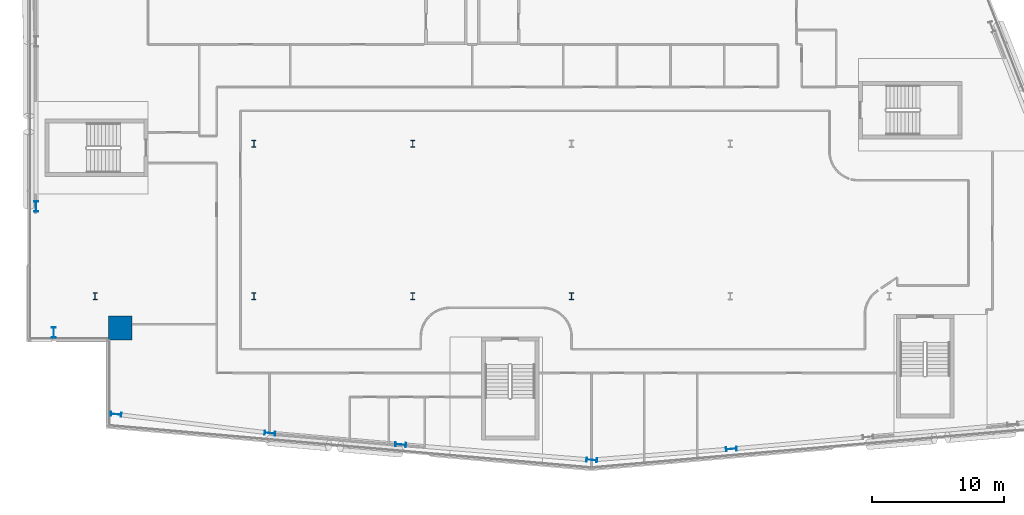
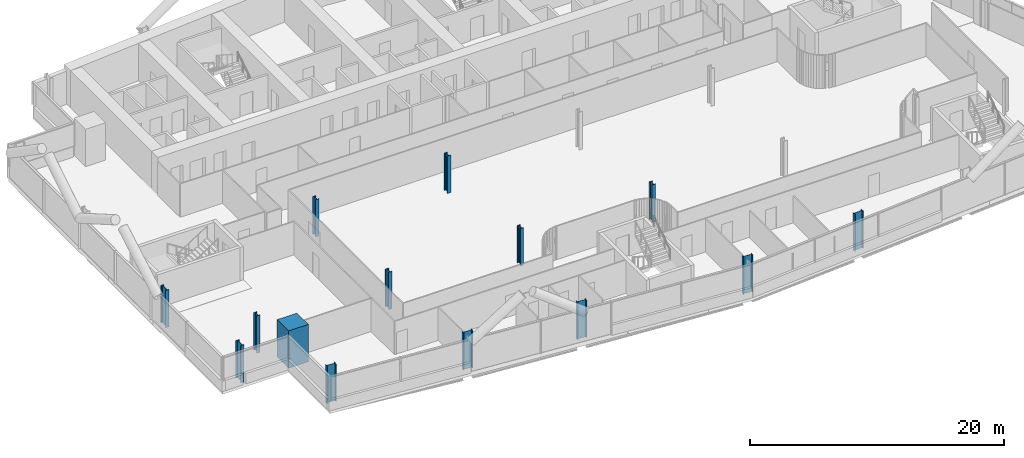
# One storey, part 1 of 30: 14 columns.
"""IFC4 building model written with IfcOpenShell, lengths in metres."""

from ifc_helpers import new_model, si_unit, direction, frame, origin, origin_2d, place, context, subcontext, project, spatial, rectangle, i_section, extrude, material, material_profile, profile_set, type_object, element, save


model = new_model("IFC4")

# Units and contexts
model_context = context("Model", 3, precision=1e-05, world=origin(), true_north=direction((0.0, 1.0)))
body_context = subcontext(model_context, "Body", "Model", "MODEL_VIEW")
ifc_project = project(units=[si_unit("LENGTHUNIT", "METRE"), si_unit("AREAUNIT", "SQUARE_METRE"), si_unit("VOLUMEUNIT", "CUBIC_METRE"), si_unit("PLANEANGLEUNIT", "RADIAN"), si_unit("MASSUNIT", "GRAM", prefix="KILO")], contexts=[model_context])

# Site, building, storey
site_placement = place(None, origin())
site = spatial("IfcSite", under=ifc_project, at=site_placement, CompositionType="ELEMENT")
building_placement = place(site_placement, origin())
building = spatial("IfcBuilding", under=site, at=building_placement, Name="Wharfspan Tower", CompositionType="ELEMENT")
storey_placement = place(building_placement, frame((0.0, 0.0, 100.300049)))
storey = spatial("IfcBuildingStorey", under=building, at=storey_placement, Name="L22", CompositionType="ELEMENT", Elevation=100.300049)

# Columns
ifc_material_1 = material(Name="Steel S355J2", Category="steel")
ifc_material_profile_1 = material_profile(ifc_material_1, i_section(OverallWidth=0.305908, OverallDepth=0.523926, WebThickness=0.020996, FlangeThickness=0.040039, FilletRadius=0.0271, at=origin_2d()))
ifc_profile_set_1 = profile_set([ifc_material_profile_1], Name="Steel S355J2")
column_type_1 = type_object("IfcColumnType", Name="Column HEM 500", PredefinedType="COLUMN", material=ifc_profile_set_1)
for number, where, z_axis, x_axis, name in (
    (1, (12.0, 11.5, 0.0), (0.0, 0.0, 1.0), (1.0, 0.0, 0.0), "Interior column I.1.1 L22"),
    (2, (24.0, 11.5, 0.0), (0.0, 0.0, 1.0), (1.0, 0.0, 0.0), "Interior column I.1.2 L22"),
    (3, (36.0, 11.5, 0.0), (0.0, 0.0, 1.0), (1.0, 0.0, 0.0), "Interior column I.1.3 L22"),
    (4, (48.0, 11.5, 0.0), (0.0, 0.0, 1.0), (1.0, 0.0, 0.0), "Interior column I.1.4 L22"),
    (5, (24.0, 23.0, 0.0), (0.0, 0.0, 1.0), (1.0, 0.0, 0.0), "Interior column I.2.1 L22"),
    (6, (36.0, 23.0, 0.0), (0.0, 0.0, 1.0), (1.0, 0.0, 0.0), "Interior column I.2.2 L22"),
):
    element("IfcColumn", number, at=place(storey_placement, frame(where, z_axis=z_axis, x_axis=x_axis)), inside=storey, type_object=column_type_1, Name=name, PredefinedType="COLUMN", context=body_context, shape_type="SweptSolid", body=[
        extrude(i_section(OverallWidth=0.305908, OverallDepth=0.523926, WebThickness=0.020996, FlangeThickness=0.040039, FilletRadius=0.0271, at=origin_2d()), origin(), (0.0, 0.0, 1.0), 3.599854),
    ])
ifc_material_profile_2 = material_profile(ifc_material_1, i_section(OverallWidth=0.302979, OverallDepth=0.813965, WebThickness=0.020996, FlangeThickness=0.040039, FilletRadius=0.030029, at=origin_2d()))
ifc_profile_set_2 = profile_set([ifc_material_profile_2], Name="Steel S355J2")
column_type_2 = type_object("IfcColumnType", Name="Column HEM 800", PredefinedType="COLUMN", material=ifc_profile_set_2)
for number, where, z_axis, x_axis, name in (
    (7, (13.590576, 2.569336, 0.0), (0.0, 0.0, 1.0), (-0.087156, -0.996198, 0.0), "Perimeter column PS1.1 L22"),
    (8, (25.213623, 1.148682, 0.0), (0.0, 0.0, 1.0), (-0.087156, -0.996198, 0.0), "Perimeter column PS1.2 L22"),
    (9, (35.089111, 0.284668, 0.0), (0.0, 0.0, 1.0), (-0.087156, -0.996198, 0.0), "Perimeter column PS1.3 L22"),
    (10, (49.53125, -0.881592, 0.0), (0.0, 0.0, 1.0), (-0.087156, -0.996198, 0.0), "Perimeter column PS1.4 L22"),
    (11, (60.077881, -0.050781, 0.0), (0.0, 0.0, 1.0), (0.087156, -0.996198, 0.0), "Perimeter column PS2.1 L22"),
    (12, (7.540039, 18.266602, 0.0), (0.0, 0.0, 1.0), (-1.0, 0.0, 0.0), "Perimeter column PW.2 L22"),
    (13, (8.884521, 8.742676, 0.0), (0.0, 0.0, 1.0), (-1.0, 0.0, 0.0), "Perimeter column PW.3 L22"),
):
    element("IfcColumn", number, at=place(storey_placement, frame(where, z_axis=z_axis, x_axis=x_axis)), inside=storey, type_object=column_type_2, Name=name, PredefinedType="COLUMN", context=body_context, shape_type="SweptSolid", body=[
        extrude(i_section(OverallWidth=0.302979, OverallDepth=0.813965, WebThickness=0.020996, FlangeThickness=0.040039, FilletRadius=0.030029, at=origin_2d()), origin(), (0.0, 0.0, 1.0), 3.599854),
    ])
ifc_material_2 = material(Name="Concrete C70/85", Category="concrete")
ifc_material_profile_3 = material_profile(ifc_material_2, rectangle(XDim=1.800049, YDim=1.800049, at=origin_2d()))
ifc_profile_set_3 = profile_set([ifc_material_profile_3], Name="Concrete C70/85")
column_type_3 = type_object("IfcColumnType", Name="Mega column 1800 C70/85", PredefinedType="COLUMN", material=ifc_profile_set_3)
column_placement = place(storey_placement, frame((13.899902, 9.100098, 0.0), z_axis=(0.0, 0.0, 1.0), x_axis=(1.0, 0.0, 0.0)))
element("IfcColumn", 14, at=column_placement, inside=storey, type_object=column_type_3, Name="Mega column MC1 L22", PredefinedType="COLUMN", context=body_context, shape_type="SweptSolid", body=[
    extrude(rectangle(XDim=1.800049, YDim=1.800049, at=origin_2d()), origin(), (0.0, 0.0, 1.0), 3.599854),
])

save(model, "model.ifc")
